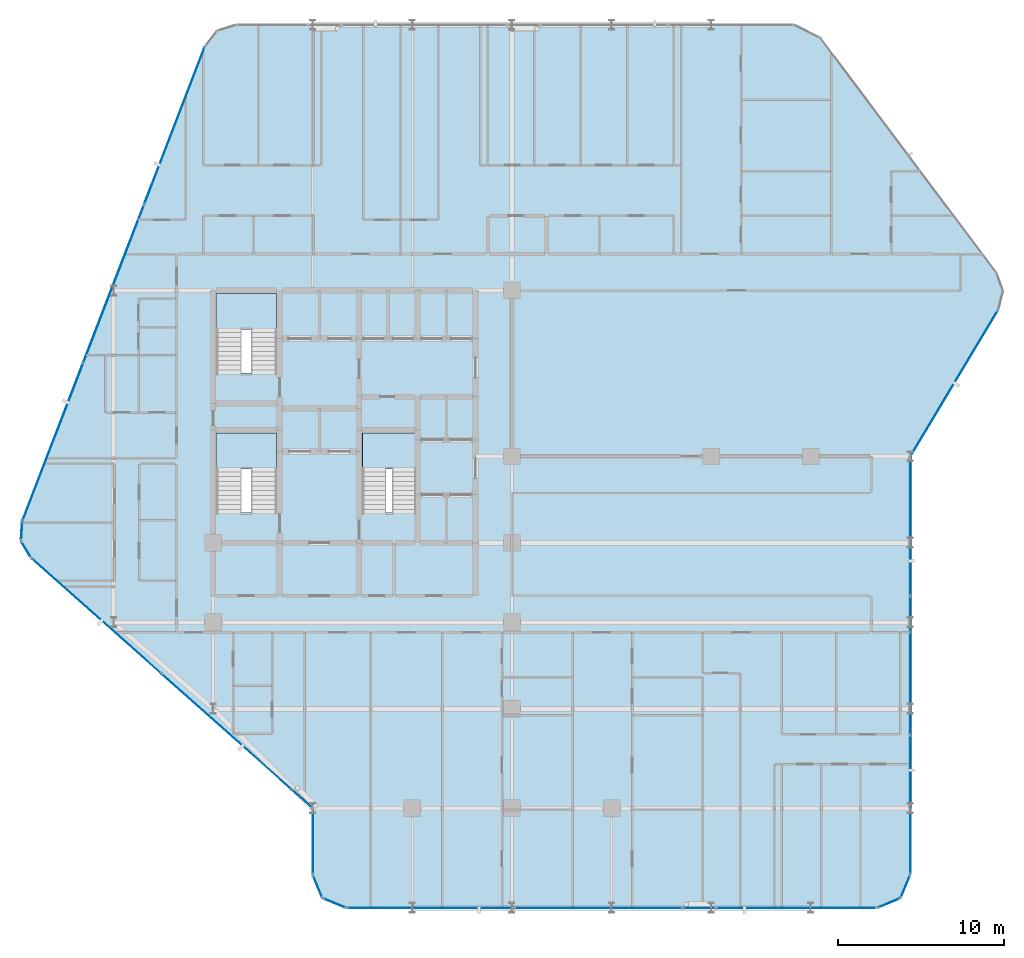
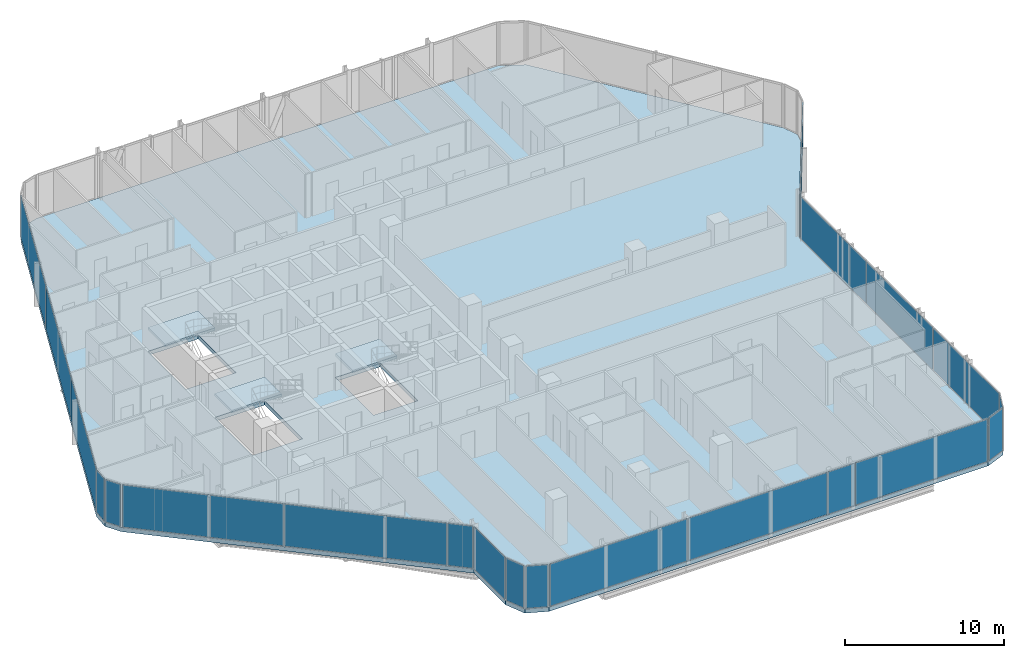
# One storey, part 22 of 30: 21 plates, 4 slabs, 18 elements without a shape of their own.
"""IFC4 building model written with IfcOpenShell, lengths in metres."""

from ifc_helpers import new_model, si_unit, direction, frame, origin, origin_2d, place, context, subcontext, project, spatial, polyline, rectangle, outline, extrude, material, layer, layer_set, type_object, element, aggregate, save


model = new_model("IFC4")

# Units and contexts
model_context = context("Model", 3, precision=1e-05, world=origin(), true_north=direction((0.0, 1.0)))
body_context = subcontext(model_context, "Body", "Model", "MODEL_VIEW")
ifc_project = project(units=[si_unit("LENGTHUNIT", "METRE"), si_unit("AREAUNIT", "SQUARE_METRE"), si_unit("VOLUMEUNIT", "CUBIC_METRE"), si_unit("PLANEANGLEUNIT", "RADIAN"), si_unit("MASSUNIT", "GRAM", prefix="KILO")], contexts=[model_context])

# Site, building, storey
site_placement = place(None, origin())
site = spatial("IfcSite", under=ifc_project, at=site_placement, CompositionType="ELEMENT")
building_placement = place(site_placement, origin())
building = spatial("IfcBuilding", under=site, at=building_placement, Name="Keshet Zoharim Tower", CompositionType="ELEMENT")
storey_placement = place(building_placement, frame((0.0, 0.0, 116.800048828125)))
storey = spatial("IfcBuildingStorey", under=building, at=storey_placement, Name="L28", CompositionType="ELEMENT", Elevation=116.800048828125)

# Curtain wall, plate
ifc_material_1 = material(Name="Aluminium 6063-T6", Category="aluminium")
ifc_layer_1 = layer(ifc_material_1, 0.159912109375)
ifc_layer_set_1 = layer_set([ifc_layer_1], Name="Aluminium 6063-T6")
curtain_wall_type = type_object("IfcCurtainWallType", Name="CW-SYS-03", PredefinedType="NOTDEFINED", material=ifc_layer_set_1)
curtain_wall_1_placement = place(storey_placement, origin())
curtain_wall_1 = element("IfcCurtainWall", 1, at=curtain_wall_1_placement, inside=storey, type_object=curtain_wall_type, Name="L28 Unitised Curtain Wall 01", PredefinedType="NOTDEFINED")
ifc_material_2 = material(Name="Insulated Low-E Clear Glass", Category="glass")
ifc_layer_2 = layer(ifc_material_2, 0.035888671875)
ifc_layer_set_2 = layer_set([ifc_layer_2], Name="Insulated Low-E Clear Glass")
plate_type_1 = type_object("IfcPlateType", Name="CWP-01", PredefinedType="CURTAIN_PANEL", material=ifc_layer_set_2)
plate_1_placement = place(storey_placement, frame((56.70703125, 1.992919921875, 0.06982421875), z_axis=(0.0, 0.0, 1.0), x_axis=(-0.382851849847, -0.92380975372, 0.0)))
plate_1 = element("IfcPlate", 2, at=plate_1_placement, type_object=plate_type_1, Name="CW-03 panel 1.1", PredefinedType="CURTAIN_PANEL", context=body_context, shape_type="SweptSolid", body=[
    extrude(rectangle(XDim=1.390625, YDim=0.035888671875, at=origin_2d()), origin(), (0.0, 0.0, 1.0), 3.239990234375),
])
aggregate(curtain_wall_1, [plate_1])

curtain_wall_2_placement = place(storey_placement, origin())
curtain_wall_2 = element("IfcCurtainWall", 3, at=curtain_wall_2_placement, inside=storey, type_object=curtain_wall_type, Name="L28 Unitised Curtain Wall 02", PredefinedType="NOTDEFINED")
plate_2_placement = place(storey_placement, frame((55.70703125, 0.992919921875, 0.06982421875), z_axis=(0.0, 0.0, 1.0), x_axis=(-0.92380975372, -0.382851849847, 0.0)))
plate_2 = element("IfcPlate", 4, at=plate_2_placement, type_object=plate_type_1, Name="CW-03 panel 1.1", PredefinedType="CURTAIN_PANEL", context=body_context, shape_type="SweptSolid", body=[
    extrude(rectangle(XDim=1.390625, YDim=0.035888671875, at=origin_2d()), origin(), (0.0, 0.0, 1.0), 3.239990234375),
])
aggregate(curtain_wall_2, [plate_2])

curtain_wall_3_placement = place(storey_placement, origin())
curtain_wall_3 = element("IfcCurtainWall", 5, at=curtain_wall_3_placement, inside=storey, type_object=curtain_wall_type, Name="L28 Unitised Curtain Wall 03", PredefinedType="NOTDEFINED")
plate_3_placement = place(storey_placement, frame((50.1240234375, 0.699951171875, 0.06982421875), z_axis=(0.0, 0.0, 1.0), x_axis=(-1.0, 0.0, 0.0)))
plate_3 = element("IfcPlate", 6, at=plate_3_placement, type_object=plate_type_1, Name="CW-03 panel 1.1", PredefinedType="CURTAIN_PANEL", context=body_context, shape_type="SweptSolid", body=[
    extrude(rectangle(XDim=9.612060546875, YDim=0.035888671875, at=origin_2d()), origin(), (0.0, 0.0, 1.0), 3.239990234375),
])
aggregate(curtain_wall_3, [plate_3])

# Curtain wall, plates
curtain_wall_4_placement = place(storey_placement, origin())
curtain_wall_4 = element("IfcCurtainWall", 7, at=curtain_wall_4_placement, inside=storey, type_object=curtain_wall_type, Name="L28 Unitised Curtain Wall 03 Part 3", PredefinedType="NOTDEFINED")
plate_4_placement = place(storey_placement, frame((38.20654296875, 0.699951171875, 0.06982421875), z_axis=(0.0, 0.0, 1.0), x_axis=(-1.0, 0.0, 0.0)))
plate_4 = element("IfcPlate", 8, at=plate_4_placement, type_object=plate_type_1, Name="CW-03 panel 1.1", PredefinedType="CURTAIN_PANEL", context=body_context, shape_type="SweptSolid", body=[
    extrude(rectangle(XDim=10.091064453125, YDim=0.035888671875, at=origin_2d()), origin(), (0.0, 0.0, 1.0), 3.239990234375),
])
plate_5_placement = place(storey_placement, frame((28.08056640625, 0.699951171875, 0.06982421875), z_axis=(0.0, 0.0, 1.0), x_axis=(-1.0, 0.0, 0.0)))
plate_5 = element("IfcPlate", 9, at=plate_5_placement, type_object=plate_type_1, Name="CW-03 panel 2.1", PredefinedType="CURTAIN_PANEL", context=body_context, shape_type="SweptSolid", body=[
    extrude(rectangle(XDim=10.02099609375, YDim=0.035888671875, at=origin_2d()), origin(), (0.0, 0.0, 1.0), 3.239990234375),
])
aggregate(curtain_wall_4, [plate_4, plate_5])

# Curtain wall, plate
curtain_wall_5_placement = place(storey_placement, origin())
curtain_wall_5 = element("IfcCurtainWall", 10, at=curtain_wall_5_placement, inside=storey, type_object=curtain_wall_type, Name="L28 Unitised Curtain Wall 04", PredefinedType="NOTDEFINED")
plate_6_placement = place(storey_placement, frame((22.29296875, 0.992919921875, 0.06982421875), z_axis=(0.0, 0.0, 1.0), x_axis=(-0.92380975372, 0.382851849847, 0.0)))
plate_6 = element("IfcPlate", 11, at=plate_6_placement, type_object=plate_type_1, Name="CW-03 panel 1.1", PredefinedType="CURTAIN_PANEL", context=body_context, shape_type="SweptSolid", body=[
    extrude(rectangle(XDim=1.390625, YDim=0.035888671875, at=origin_2d()), origin(), (0.0, 0.0, 1.0), 3.239990234375),
])
aggregate(curtain_wall_5, [plate_6])

curtain_wall_6_placement = place(storey_placement, origin())
curtain_wall_6 = element("IfcCurtainWall", 12, at=curtain_wall_6_placement, inside=storey, type_object=curtain_wall_type, Name="L28 Unitised Curtain Wall 05", PredefinedType="NOTDEFINED")
plate_7_placement = place(storey_placement, frame((21.29296875, 1.992919921875, 0.06982421875), z_axis=(0.0, 0.0, 1.0), x_axis=(-0.382851849847, 0.92380975372, 0.0)))
plate_7 = element("IfcPlate", 13, at=plate_7_placement, type_object=plate_type_1, Name="CW-03 panel 1.1", PredefinedType="CURTAIN_PANEL", context=body_context, shape_type="SweptSolid", body=[
    extrude(rectangle(XDim=1.390625, YDim=0.035888671875, at=origin_2d()), origin(), (0.0, 0.0, 1.0), 3.239990234375),
])
aggregate(curtain_wall_6, [plate_7])

curtain_wall_7_placement = place(storey_placement, origin())
curtain_wall_7 = element("IfcCurtainWall", 14, at=curtain_wall_7_placement, inside=storey, type_object=curtain_wall_type, Name="L28 Unitised Curtain Wall 06", PredefinedType="NOTDEFINED")
plate_8_placement = place(storey_placement, frame((21.0, 4.699951171875, 0.06982421875), z_axis=(0.0, 0.0, 1.0), x_axis=(0.0, 1.0, 0.0)))
plate_8 = element("IfcPlate", 15, at=plate_8_placement, type_object=plate_type_1, Name="CW-03 panel 1.1", PredefinedType="CURTAIN_PANEL", context=body_context, shape_type="SweptSolid", body=[
    extrude(rectangle(XDim=3.860107421875, YDim=0.035888671875, at=origin_2d()), origin(), (0.0, 0.0, 1.0), 3.239990234375),
])
aggregate(curtain_wall_7, [plate_8])

# Curtain wall, plates
curtain_wall_8_placement = place(storey_placement, origin())
curtain_wall_8 = element("IfcCurtainWall", 16, at=curtain_wall_8_placement, inside=storey, type_object=curtain_wall_type, Name="L28 Unitised Curtain Wall 07 Part 2", PredefinedType="NOTDEFINED")
plate_9_placement = place(storey_placement, frame((15.793212890625, 11.328125, 0.06982421875), z_axis=(0.0, 0.0, 1.0), x_axis=(-0.747408792041, 0.664364431302, 0.0)))
plate_9 = element("IfcPlate", 17, at=plate_9_placement, type_object=plate_type_1, Name="CW-03 panel 1.1", PredefinedType="CURTAIN_PANEL", context=body_context, shape_type="SweptSolid", body=[
    extrude(rectangle(XDim=10.44140625, YDim=0.035888671875, at=origin_2d()), origin(), (0.0, 0.0, 1.0), 3.239990234375),
])
plate_10_placement = place(storey_placement, frame((7.963134765625, 18.288330078125, 0.06982421875), z_axis=(0.0, 0.0, 1.0), x_axis=(-0.747408792041, 0.664364431302, 0.0)))
plate_10 = element("IfcPlate", 18, at=plate_10_placement, type_object=plate_type_1, Name="CW-03 panel 2.1", PredefinedType="CURTAIN_PANEL", context=body_context, shape_type="SweptSolid", body=[
    extrude(rectangle(XDim=10.371337890625, YDim=0.035888671875, at=origin_2d()), origin(), (0.0, 0.0, 1.0), 3.239990234375),
])
aggregate(curtain_wall_8, [plate_9, plate_10])

# Curtain wall, plate
curtain_wall_9_placement = place(storey_placement, origin())
curtain_wall_9 = element("IfcCurtainWall", 19, at=curtain_wall_9_placement, inside=storey, type_object=curtain_wall_type, Name="L28 Unitised Curtain Wall 08", PredefinedType="NOTDEFINED")
plate_11_placement = place(storey_placement, frame((3.7275390625, 22.291015625, 0.06982421875), z_axis=(0.0, 0.0, 1.0), x_axis=(-0.515604947933, 0.856826433805, 0.0)))
plate_11 = element("IfcPlate", 20, at=plate_11_placement, type_object=plate_type_1, Name="CW-03 panel 1.1", PredefinedType="CURTAIN_PANEL", context=body_context, shape_type="SweptSolid", body=[
    extrude(rectangle(XDim=1.052734375, YDim=0.035888671875, at=origin_2d()), origin(), (0.0, 0.0, 1.0), 3.239990234375),
])
aggregate(curtain_wall_9, [plate_11])

curtain_wall_10_placement = place(storey_placement, origin())
curtain_wall_10 = element("IfcCurtainWall", 21, at=curtain_wall_10_placement, inside=storey, type_object=curtain_wall_type, Name="L28 Unitised Curtain Wall 09", PredefinedType="NOTDEFINED")
plate_12_placement = place(storey_placement, frame((3.45849609375, 23.3974609375, 0.06982421875), z_axis=(0.0, 0.0, 1.0), x_axis=(0.064516859374, 0.997916617186, 0.0)))
plate_12 = element("IfcPlate", 22, at=plate_12_placement, type_object=plate_type_1, Name="CW-03 panel 1.1", PredefinedType="CURTAIN_PANEL", context=body_context, shape_type="SweptSolid", body=[
    extrude(rectangle(XDim=1.053466796875, YDim=0.035888671875, at=origin_2d()), origin(), (0.0, 0.0, 1.0), 3.239990234375),
])
aggregate(curtain_wall_10, [plate_12])

# Curtain wall, plates
curtain_wall_11_placement = place(storey_placement, origin())
curtain_wall_11 = element("IfcCurtainWall", 23, at=curtain_wall_11_placement, inside=storey, type_object=curtain_wall_type, Name="L28 Unitised Curtain Wall 10", PredefinedType="NOTDEFINED")
plate_13_placement = place(storey_placement, frame((5.33837890625, 28.7802734375, 0.06982421875), z_axis=(0.0, 0.0, 1.0), x_axis=(0.358990003907, 0.933341404361, 0.0)))
plate_13 = element("IfcPlate", 24, at=plate_13_placement, type_object=plate_type_1, Name="CW-03 panel 1.1", PredefinedType="CURTAIN_PANEL", context=body_context, shape_type="SweptSolid", body=[
    extrude(rectangle(XDim=10.1181640625, YDim=0.035888671875, at=origin_2d()), origin(), (0.0, 0.0, 1.0), 3.239990234375),
])
plate_14_placement = place(storey_placement, frame((9.001953125, 38.305419921875, 0.06982421875), z_axis=(0.0, 0.0, 1.0), x_axis=(0.358990003907, 0.933341404361, 0.0)))
plate_14 = element("IfcPlate", 25, at=plate_14_placement, type_object=plate_type_1, Name="CW-03 panel 2.1", PredefinedType="CURTAIN_PANEL", context=body_context, shape_type="SweptSolid", body=[
    extrude(rectangle(XDim=10.153076171875, YDim=0.035888671875, at=origin_2d()), origin(), (0.0, 0.0, 1.0), 3.239990234375),
])
plate_15_placement = place(storey_placement, frame((12.665771484375, 47.830810546875, 0.06982421875), z_axis=(0.0, 0.0, 1.0), x_axis=(0.358990003907, 0.933341404361, 0.0)))
plate_15 = element("IfcPlate", 26, at=plate_15_placement, type_object=plate_type_1, Name="CW-03 panel 3.1", PredefinedType="CURTAIN_PANEL", context=body_context, shape_type="SweptSolid", body=[
    extrude(rectangle(XDim=10.1181640625, YDim=0.035888671875, at=origin_2d()), origin(), (0.0, 0.0, 1.0), 3.239990234375),
])
aggregate(curtain_wall_11, [plate_13, plate_14, plate_15])

# Curtain wall, plate
curtain_wall_12_placement = place(storey_placement, origin())
curtain_wall_12 = element("IfcCurtainWall", 27, at=curtain_wall_12_placement, inside=storey, type_object=curtain_wall_type, Name="L28 Unitised Curtain Wall 18", PredefinedType="NOTDEFINED")
plate_16_placement = place(storey_placement, frame((59.654052734375, 32.323486328125, 0.06982421875), z_axis=(0.0, 0.0, 1.0), x_axis=(-0.514481501576, -0.857501477862, 0.0)))
plate_16 = element("IfcPlate", 28, at=plate_16_placement, type_object=plate_type_1, Name="CW-03 panel 1.1", PredefinedType="CURTAIN_PANEL", context=body_context, shape_type="SweptSolid", body=[
    extrude(rectangle(XDim=10.17724609375, YDim=0.035888671875, at=origin_2d()), origin(), (0.0, 0.0, 1.0), 3.239990234375),
])
aggregate(curtain_wall_12, [plate_16])

# Curtain wall, plates
curtain_wall_13_placement = place(storey_placement, origin())
curtain_wall_13 = element("IfcCurtainWall", 29, at=curtain_wall_13_placement, inside=storey, type_object=curtain_wall_type, Name="L28 Unitised Curtain Wall 19", PredefinedType="NOTDEFINED")
ifc_layer_3 = layer(ifc_material_2, 0.031982421875)
ifc_layer_set_3 = layer_set([ifc_layer_3], Name="Insulated Low-E Clear Glass")
plate_type_2 = type_object("IfcPlateType", Name="CWP-02", PredefinedType="CURTAIN_PANEL", material=ifc_layer_set_3)
plate_17_placement = place(storey_placement, frame((57.0, 23.6826171875, 0.06982421875), z_axis=(0.0, 0.0, 1.0), x_axis=(0.0, -1.0, 0.0)))
plate_17 = element("IfcPlate", 30, at=plate_17_placement, type_object=plate_type_2, Name="CW-03 panel 1.1", PredefinedType="CURTAIN_PANEL", context=body_context, shape_type="SweptSolid", body=[
    extrude(rectangle(XDim=8.294921875, YDim=0.031982421875, at=origin_2d()), origin(), (0.0, 0.0, 1.0), 3.239990234375),
])
plate_18_placement = place(storey_placement, frame((57.0, 15.300048828125, 0.06982421875), z_axis=(0.0, 0.0, 1.0), x_axis=(0.0, -1.0, 0.0)))
plate_18 = element("IfcPlate", 31, at=plate_18_placement, type_object=plate_type_2, Name="CW-03 panel 2.1", PredefinedType="CURTAIN_PANEL", context=body_context, shape_type="SweptSolid", body=[
    extrude(rectangle(XDim=8.330078125, YDim=0.031982421875, at=origin_2d()), origin(), (0.0, 0.0, 1.0), 3.239990234375),
])
plate_19_placement = place(storey_placement, frame((57.0, 6.91748046875, 0.06982421875), z_axis=(0.0, 0.0, 1.0), x_axis=(0.0, -1.0, 0.0)))
plate_19 = element("IfcPlate", 32, at=plate_19_placement, type_object=plate_type_2, Name="CW-03 panel 3.1", PredefinedType="CURTAIN_PANEL", context=body_context, shape_type="SweptSolid", body=[
    extrude(rectangle(XDim=8.294921875, YDim=0.031982421875, at=origin_2d()), origin(), (0.0, 0.0, 1.0), 3.239990234375),
])
aggregate(curtain_wall_13, [plate_17, plate_18, plate_19])

# Curtain wall, plate
curtain_wall_14_placement = place(storey_placement, origin())
curtain_wall_14 = element("IfcCurtainWall", 33, at=curtain_wall_14_placement, inside=storey, type_object=curtain_wall_type, Name="L28 Unitised Curtain Wall 03 Part 2", PredefinedType="NOTDEFINED")
ifc_material_3 = material(Name="Insulated Aluminium Spandrel Panel", Category="aluminium")
ifc_layer_4 = layer(ifc_material_3, 0.035888671875)
ifc_layer_set_4 = layer_set([ifc_layer_4], Name="Insulated Aluminium Spandrel Panel")
plate_type_3 = type_object("IfcPlateType", Name="CWP-04", PredefinedType="CURTAIN_PANEL", material=ifc_layer_set_4)
plate_20_placement = place(storey_placement, frame((44.284912109375, 0.699951171875, 0.06982421875), z_axis=(0.0, 0.0, 1.0), x_axis=(-1.0, 0.0, 0.0)))
plate_20 = element("IfcPlate", 34, at=plate_20_placement, type_object=plate_type_3, Name="CW-03 spandrel panel 1.1", PredefinedType="CURTAIN_PANEL", context=body_context, shape_type="SweptSolid", body=[
    extrude(rectangle(XDim=1.926025390625, YDim=0.035888671875, at=origin_2d()), origin(), (0.0, 0.0, 1.0), 3.239990234375),
])
aggregate(curtain_wall_14, [plate_20])

curtain_wall_15_placement = place(storey_placement, origin())
curtain_wall_15 = element("IfcCurtainWall", 35, at=curtain_wall_15_placement, inside=storey, type_object=curtain_wall_type, Name="L28 Unitised Curtain Wall 07", PredefinedType="NOTDEFINED")
plate_21_placement = place(storey_placement, frame((20.34765625, 7.27978515625, 0.06982421875), z_axis=(0.0, 0.0, 1.0), x_axis=(-0.747415639425, 0.664356727928, 0.0)))
plate_21 = element("IfcPlate", 36, at=plate_21_placement, type_object=plate_type_3, Name="CW-03 spandrel panel 1.1", PredefinedType="CURTAIN_PANEL", context=body_context, shape_type="SweptSolid", body=[
    extrude(rectangle(XDim=1.605712890625, YDim=0.035888671875, at=origin_2d()), origin(), (0.0, 0.0, 1.0), 3.239990234375),
])
aggregate(curtain_wall_15, [plate_21])

# Stair, slab
ifc_material_4 = material(Name="Concrete C50/60", Category="concrete")
stair_type = type_object("IfcStairType", Name="STR-EXIT-135", PredefinedType="HALF_TURN_STAIR", material=ifc_material_4)
stair_1_placement = place(storey_placement, origin())
stair_1 = element("IfcStair", 37, at=stair_1_placement, inside=storey, type_object=stair_type, Name="L28 Enclosed Exit Stair ST-01", PredefinedType="HALF_TURN_STAIR")
ifc_layer_5 = layer(ifc_material_4, 0.199951171875)
ifc_layer_set_5 = layer_set([ifc_layer_5], Name="Concrete C50/60")
slab_type_1 = type_object("IfcSlabType", Name="SLB-LND-200", PredefinedType="LANDING", material=ifc_layer_set_5)
slab_1_placement = place(storey_placement, frame((0.0, 0.0, 1.64990234375)))
slab_1 = element("IfcSlab", 38, at=slab_1_placement, type_object=slab_type_1, Name="ST-01 landing 1", PredefinedType="LANDING", context=body_context, shape_type="SweptSolid", body=[
    extrude(outline(polyline([(15.179931640625, 27.159912109375), (18.820068359375, 27.159912109375), (18.820068359375, 29.320068359375), (15.179931640625, 29.320068359375), (15.179931640625, 27.159912109375)])), origin(), (0.0, 0.0, 1.0), 0.199951171875),
])
aggregate(stair_1, [slab_1])

stair_2_placement = place(storey_placement, origin())
stair_2 = element("IfcStair", 39, at=stair_2_placement, inside=storey, type_object=stair_type, Name="L28 Enclosed Exit Stair ST-02", PredefinedType="HALF_TURN_STAIR")
slab_2_placement = place(storey_placement, frame((0.0, 0.0, 1.64990234375)))
slab_2 = element("IfcSlab", 40, at=slab_2_placement, type_object=slab_type_1, Name="ST-02 landing 1", PredefinedType="LANDING", context=body_context, shape_type="SweptSolid", body=[
    extrude(outline(polyline([(15.179931640625, 35.56005859375), (18.820068359375, 35.56005859375), (18.820068359375, 37.719970703125), (15.179931640625, 37.719970703125), (15.179931640625, 35.56005859375)])), origin(), (0.0, 0.0, 1.0), 0.199951171875),
])
aggregate(stair_2, [slab_2])

stair_3_placement = place(storey_placement, origin())
stair_3 = element("IfcStair", 41, at=stair_3_placement, inside=storey, type_object=stair_type, Name="L28 Enclosed Exit Stair ST-03", PredefinedType="HALF_TURN_STAIR")
slab_3_placement = place(storey_placement, frame((0.0, 0.0, 1.64990234375)))
slab_3 = element("IfcSlab", 42, at=slab_3_placement, type_object=slab_type_1, Name="ST-03 landing 1", PredefinedType="LANDING", context=body_context, shape_type="SweptSolid", body=[
    extrude(outline(polyline([(23.97998046875, 27.159912109375), (27.219970703125, 27.159912109375), (27.219970703125, 29.320068359375), (23.97998046875, 29.320068359375), (23.97998046875, 27.159912109375)])), origin(), (0.0, 0.0, 1.0), 0.199951171875),
])
aggregate(stair_3, [slab_3])

# Slab
ifc_layer_6 = layer(ifc_material_4, 0.31494140625)
ifc_layer_set_6 = layer_set([ifc_layer_6], Name="Concrete C50/60")
slab_type_2 = type_object("IfcSlabType", Name="SLB-LOW-260", PredefinedType="FLOOR", material=ifc_layer_set_6)
slab_4_placement = place(storey_placement, frame((0.0, 0.0, -0.31494140625)))
element("IfcSlab", 43, at=slab_4_placement, inside=storey, type_object=slab_type_2, Name="L28 Structural Floor Slab 1", PredefinedType="FLOOR", context=body_context, shape_type="SweptSolid", body=[
    extrude(outline(polyline([(57.0, 2.699951171875), (56.4140625, 1.285888671875), (55.0, 0.699951171875), (23.0, 0.699951171875), (21.5859375, 1.285888671875), (21.0, 2.699951171875), (21.0, 6.699951171875), (4.034912109375, 21.780029296875), (3.419921875, 22.802001953125), (3.4970703125, 23.992919921875), (14.507080078125, 52.617919921875), (15.240966796875, 53.549072265625), (16.3740234375, 53.89990234375), (50.0, 53.89990234375), (51.60009765625, 53.10009765625), (62.193115234375, 38.97607421875), (62.590087890625, 37.87890625), (62.30810546875, 36.7470703125), (57.0, 27.89990234375), (57.0, 2.699951171875)]), holes=[polyline([(15.179931640625, 24.52001953125), (18.820068359375, 24.52001953125), (18.820068359375, 29.320068359375), (15.179931640625, 29.320068359375), (15.179931640625, 24.52001953125)]), polyline([(15.179931640625, 32.919921875), (18.820068359375, 32.919921875), (18.820068359375, 37.719970703125), (15.179931640625, 37.719970703125), (15.179931640625, 32.919921875)]), polyline([(23.97998046875, 24.52001953125), (27.219970703125, 24.52001953125), (27.219970703125, 29.320068359375), (23.97998046875, 29.320068359375), (23.97998046875, 24.52001953125)])]), origin(), (0.0, 0.0, 1.0), 0.31494140625),
])

save(model, "model.ifc")
